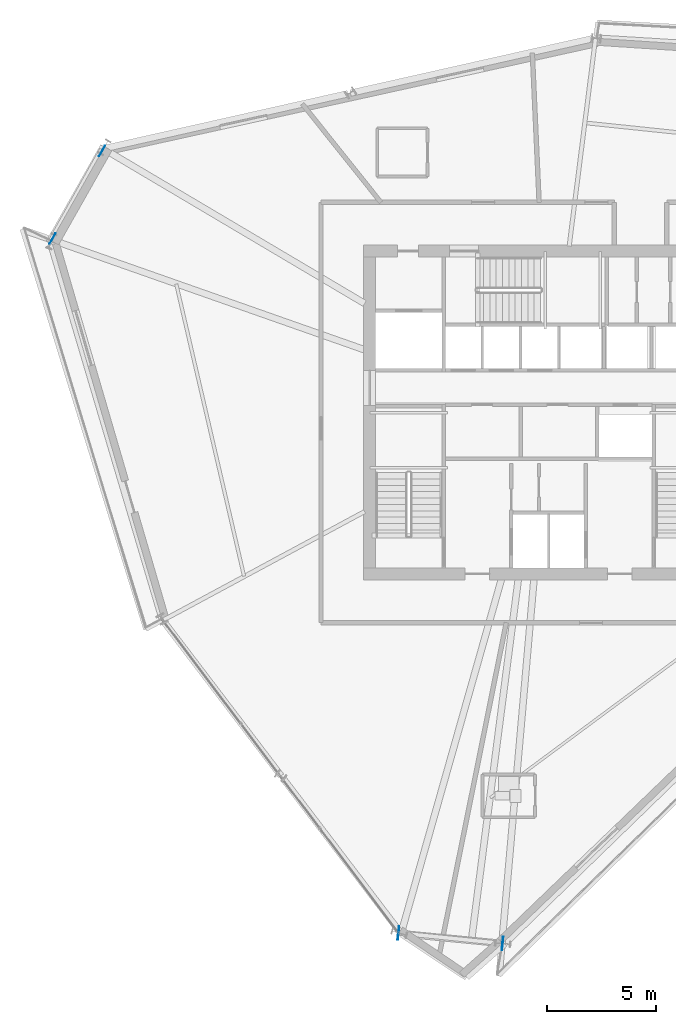
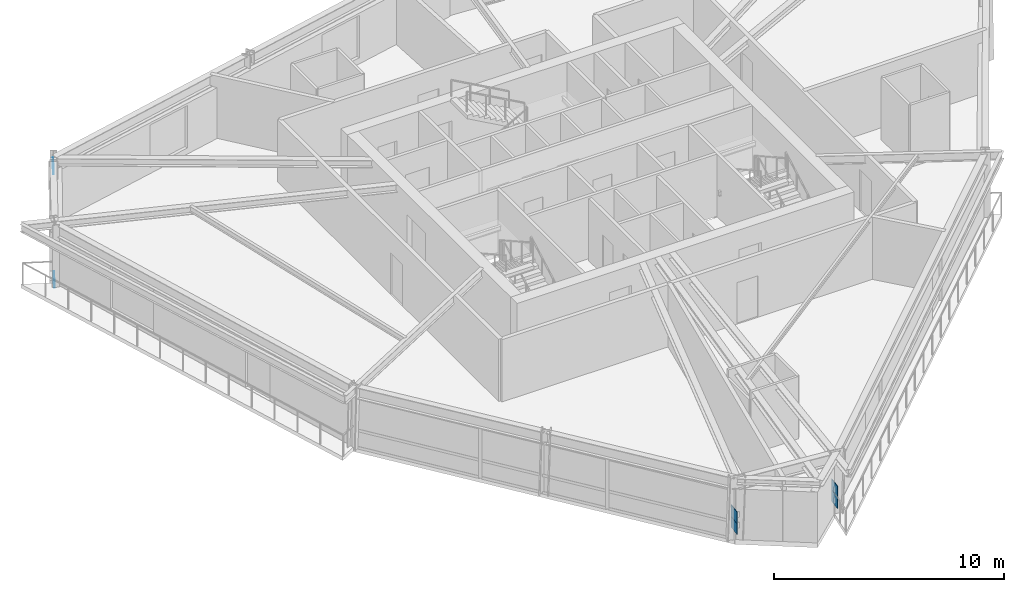
# One storey, part 6 of 15: 6 plates.
"""IFC4 building model written with IfcOpenShell, lengths in metres."""

from ifc_helpers import new_model, si_unit, direction, frame, origin, origin_2d, place, context, subcontext, project, spatial, rectangle, extrude, source, transform, mapped, material, type_object, element, save


model = new_model("IFC4")

# Units and contexts
model_context = context("Model", 3, precision=1e-05, world=origin(), true_north=direction((0.0, 1.0)))
body_context = subcontext(model_context, "Body", "Model", "MODEL_VIEW")
ifc_project = project(units=[si_unit("LENGTHUNIT", "METRE"), si_unit("AREAUNIT", "SQUARE_METRE"), si_unit("VOLUMEUNIT", "CUBIC_METRE"), si_unit("PLANEANGLEUNIT", "RADIAN"), si_unit("MASSUNIT", "GRAM", prefix="KILO")], contexts=[model_context])

# Site, building, storey
site_placement = place(None, origin())
site = spatial("IfcSite", under=ifc_project, at=site_placement, CompositionType="ELEMENT")
building_placement = place(site_placement, origin())
building = spatial("IfcBuilding", under=site, at=building_placement, Name="Olszyna Solenne Hotel", CompositionType="ELEMENT")
storey_placement = place(building_placement, frame((0.0, 0.0, 150.14990234375)))
storey = spatial("IfcBuildingStorey", under=building, at=storey_placement, Name="L39", CompositionType="ELEMENT", Elevation=150.14990234375)

# Plates
ifc_material_1 = material(Name="Steel S460M", Category="steel")
plate_type_1 = type_object("IfcPlateType", Name="GP-CAP2", PredefinedType="USERDEFINED", material=ifc_material_1)
shared_shape_1 = source(origin(), body_context, "Body", "SweptSolid", [
    extrude(rectangle(XDim=0.030029296875, YDim=0.6201171875, at=origin_2d()), origin(), (0.0, 0.0, 1.0), 0.6201171875),
])
for number, where, z_axis, x_axis, name in (
    (1, (31.13818359375, 2.82421875, 1.0400390625), (0.0, 0.0, 1.0), (0.994880708829, -0.101056297183, 0.0), "Hollow section end-cap plate GP-CAP2 CP-PR-M-L39-PR1-1"),
    (2, (35.89501953125, 2.341064453125, 1.0400390625), (0.0, 0.0, 1.0), (0.994880708829, -0.101056297183, 0.0), "Hollow section end-cap plate GP-CAP2 CP-PR-M-L39-PR1-2"),
    (3, (31.13818359375, 2.82421875, 0.469970703125), (0.0, 0.0, 1.0), (0.994880708829, -0.101056297183, 0.0), "Hollow section end-cap plate GP-CAP2 CP-PR-M-L39-PR2-1"),
    (4, (35.89501953125, 2.341064453125, 0.469970703125), (0.0, 0.0, 1.0), (0.994880708829, -0.101056297183, 0.0), "Hollow section end-cap plate GP-CAP2 CP-PR-M-L39-PR2-2"),
):
    element("IfcPlate", number, at=place(storey_placement, frame(where, z_axis=z_axis, x_axis=x_axis)), inside=storey, type_object=plate_type_1, Name=name, ObjectType="GUSSET_PLATE", PredefinedType="USERDEFINED", context=body_context, shape_type="MappedRepresentation", body=[
        mapped(shared_shape_1, transform((0.0, 0.0, 0.0), x_axis=(1.0, 0.0, 0.0), y_axis=(0.0, 1.0, 0.0), z_axis=(0.0, 0.0, 1.0), scale=1.0)),
    ])
ifc_material_2 = material(Name="Steel S355J2", Category="steel")
plate_type_2 = type_object("IfcPlateType", Name="GP-ND2", PredefinedType="USERDEFINED", material=ifc_material_2)
shared_shape_2 = source(origin(), body_context, "Body", "SweptSolid", [
    extrude(rectangle(XDim=0.56005859375, YDim=0.02001953125, at=origin_2d()), origin(), (0.0, 0.0, 1.0), 0.47998046875),
])
for number, where, z_axis, x_axis, name in (
    (5, (15.34130859375, 34.54833984375, -0.15673828125), (0.0, 0.0, 1.0), (0.491967775447, 0.870613408995, 0.0), "Brace end connection gusset plate GP-ND2 EP-BR-L39-2-1"),
    (6, (17.599853515625, 38.545166015625, 2.656982421875), (0.0, 0.0, 1.0), (0.491967775447, 0.870613408995, 0.0), "Brace end connection gusset plate GP-ND2 EP-BR-L39-2-2"),
):
    element("IfcPlate", number, at=place(storey_placement, frame(where, z_axis=z_axis, x_axis=x_axis)), inside=storey, type_object=plate_type_2, Name=name, ObjectType="GUSSET_PLATE", PredefinedType="USERDEFINED", context=body_context, shape_type="MappedRepresentation", body=[
        mapped(shared_shape_2, transform((0.0, 0.0, 0.0), x_axis=(1.0, 0.0, 0.0), y_axis=(0.0, 1.0, 0.0), z_axis=(0.0, 0.0, 1.0), scale=1.0)),
    ])

save(model, "model.ifc")
